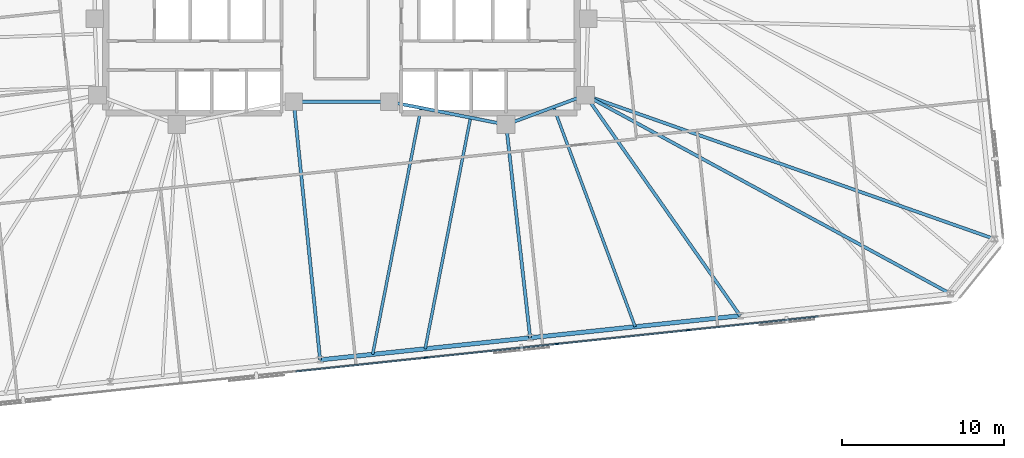
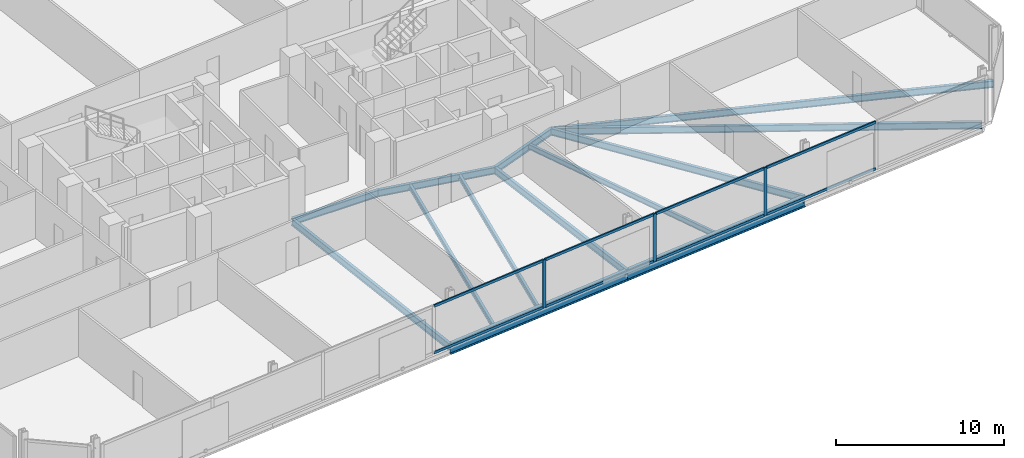
# One storey, part 7 of 18: 13 beams, 11 members, 1 element without a shape of its own.
"""IFC4 building model written with IfcOpenShell, lengths in metres."""

from ifc_helpers import new_model, si_unit, direction, frame, origin, origin_2d, place, context, subcontext, project, spatial, rectangle, i_section, extrude, material, material_profile, profile_set, type_object, element, aggregate, save


model = new_model("IFC4")

# Units and contexts
model_context = context("Model", 3, precision=1e-05, world=origin(), true_north=direction((0.0, 1.0)))
body_context = subcontext(model_context, "Body", "Model", "MODEL_VIEW")
ifc_project = project(units=[si_unit("LENGTHUNIT", "METRE"), si_unit("AREAUNIT", "SQUARE_METRE"), si_unit("VOLUMEUNIT", "CUBIC_METRE"), si_unit("PLANEANGLEUNIT", "RADIAN"), si_unit("MASSUNIT", "GRAM", prefix="KILO")], contexts=[model_context])

# Site, building, storey
site_placement = place(None, origin())
site = spatial("IfcSite", under=ifc_project, at=site_placement, CompositionType="ELEMENT")
building_placement = place(site_placement, origin())
building = spatial("IfcBuilding", under=site, at=building_placement, Name="Menara Jurai Vektor", CompositionType="ELEMENT")
storey_placement = place(building_placement, frame((0.0, 0.0, 120.699951171875)))
storey = spatial("IfcBuildingStorey", under=building, at=storey_placement, Name="L30", CompositionType="ELEMENT", Elevation=120.699951171875)

# Curtain wall, members
ifc_material_1 = material(Name="Anodised Pale Aluminium & Low-E Double Glazing", Category="aluminium")
curtain_wall_type = type_object("IfcCurtainWallType", Name="CW-BLK2", PredefinedType="NOTDEFINED", material=ifc_material_1)
curtain_wall_placement = place(storey_placement, origin())
curtain_wall = element("IfcCurtainWall", 1, at=curtain_wall_placement, inside=storey, type_object=curtain_wall_type, Name="Unitised Curtain Wall L30 F01", PredefinedType="NOTDEFINED")
ifc_material_2 = material(Name="Anodised Pale Aluminium Mullion", Category="aluminium")
ifc_material_profile_1 = material_profile(ifc_material_2, rectangle(XDim=0.090087890625, YDim=0.219970703125, at=origin_2d()), Name="ALU MUL 90x220")
ifc_profile_set_1 = profile_set([ifc_material_profile_1], Name="Anodised Pale Aluminium Mullion")
member_type_1 = type_object("IfcMemberType", Name="CW-BLK2-MUL", PredefinedType="MULLION", material=ifc_profile_set_1)
member_1_placement = place(storey_placement, frame((5.230224609375, -20.72265625, 0.0), z_axis=(0.0, 0.0, 1.0), x_axis=(-0.104528634935, 0.994521877325, 0.0)))
member_1 = element("IfcMember", 2, at=member_1_placement, type_object=member_type_1, Name="CW-02 mullion 5", PredefinedType="MULLION", context=body_context, shape_type="SweptSolid", body=[
    extrude(rectangle(XDim=0.090087890625, YDim=0.219970703125, at=origin_2d()), origin(), (0.0, 0.0, 1.0), 3.47509765625),
])
member_2_placement = place(storey_placement, frame((13.328125, -19.87158203125, 0.0), z_axis=(0.0, 0.0, 1.0), x_axis=(-0.104528634935, 0.994521877325, 0.0)))
member_2 = element("IfcMember", 3, at=member_2_placement, type_object=member_type_1, Name="CW-02 mullion 6", PredefinedType="MULLION", context=body_context, shape_type="SweptSolid", body=[
    extrude(rectangle(XDim=0.090087890625, YDim=0.219970703125, at=origin_2d()), origin(), (0.0, 0.0, 1.0), 3.47509765625),
])
member_3_placement = place(storey_placement, frame((21.426025390625, -19.020263671875, 0.0), z_axis=(0.0, 0.0, 1.0), x_axis=(-0.104528634935, 0.994521877325, 0.0)))
member_3 = element("IfcMember", 4, at=member_3_placement, type_object=member_type_1, Name="CW-02 mullion 7", PredefinedType="MULLION", context=body_context, shape_type="SweptSolid", body=[
    extrude(rectangle(XDim=0.090087890625, YDim=0.219970703125, at=origin_2d()), origin(), (0.0, 0.0, 1.0), 3.47509765625),
])
ifc_material_3 = material(Name="Anodised Pale Aluminium Transom", Category="aluminium")
ifc_material_profile_2 = material_profile(ifc_material_3, rectangle(XDim=0.090087890625, YDim=0.18505859375, at=origin_2d()), Name="ALU TRN 90x185")
ifc_profile_set_2 = profile_set([ifc_material_profile_2], Name="Anodised Pale Aluminium Transom")
member_type_2 = type_object("IfcMemberType", Name="CW-BLK2-TRN", PredefinedType="USERDEFINED", material=ifc_profile_set_2)
member_4_placement = place(storey_placement, frame((-2.82275390625, -21.569091796875, 0.045166015625), z_axis=(0.994520726373, 0.10453958492, 0.0), x_axis=(-0.10453958492, 0.994520726373, 0.0)))
member_4 = element("IfcMember", 5, at=member_4_placement, type_object=member_type_2, Name="CW-02 transom 4.1", ObjectType="TRANSOM", PredefinedType="USERDEFINED", context=body_context, shape_type="SweptSolid", body=[
    extrude(rectangle(XDim=0.090087890625, YDim=0.18505859375, at=origin_2d()), origin(), (0.0, 0.0, 1.0), 8.052490234375),
])
member_5_placement = place(storey_placement, frame((-2.82275390625, -21.569091796875, 3.429931640625), z_axis=(0.994520726373, 0.10453958492, 0.0), x_axis=(-0.10453958492, 0.994520726373, 0.0)))
member_5 = element("IfcMember", 6, at=member_5_placement, type_object=member_type_2, Name="CW-02 transom 4.2", ObjectType="TRANSOM", PredefinedType="USERDEFINED", context=body_context, shape_type="SweptSolid", body=[
    extrude(rectangle(XDim=0.090087890625, YDim=0.18505859375, at=origin_2d()), origin(), (0.0, 0.0, 1.0), 8.052490234375),
])
member_6_placement = place(storey_placement, frame((5.275146484375, -20.718017578125, 0.045166015625), z_axis=(0.994520726373, 0.10453958492, 0.0), x_axis=(-0.10453958492, 0.994520726373, 0.0)))
member_6 = element("IfcMember", 7, at=member_6_placement, type_object=member_type_2, Name="CW-02 transom 5.1", ObjectType="TRANSOM", PredefinedType="USERDEFINED", context=body_context, shape_type="SweptSolid", body=[
    extrude(rectangle(XDim=0.090087890625, YDim=0.18505859375, at=origin_2d()), origin(), (0.0, 0.0, 1.0), 8.052490234375),
])
member_7_placement = place(storey_placement, frame((5.275146484375, -20.718017578125, 3.429931640625), z_axis=(0.994520726373, 0.10453958492, 0.0), x_axis=(-0.10453958492, 0.994520726373, 0.0)))
member_7 = element("IfcMember", 8, at=member_7_placement, type_object=member_type_2, Name="CW-02 transom 5.2", ObjectType="TRANSOM", PredefinedType="USERDEFINED", context=body_context, shape_type="SweptSolid", body=[
    extrude(rectangle(XDim=0.090087890625, YDim=0.18505859375, at=origin_2d()), origin(), (0.0, 0.0, 1.0), 8.052490234375),
])
member_8_placement = place(storey_placement, frame((13.373046875, -19.86669921875, 0.045166015625), z_axis=(0.99452387809, 0.104509597213, 0.0), x_axis=(-0.104509597213, 0.99452387809, 0.0)))
member_8 = element("IfcMember", 9, at=member_8_placement, type_object=member_type_2, Name="CW-02 transom 6.1", ObjectType="TRANSOM", PredefinedType="USERDEFINED", context=body_context, shape_type="SweptSolid", body=[
    extrude(rectangle(XDim=0.090087890625, YDim=0.18505859375, at=origin_2d()), origin(), (0.0, 0.0, 1.0), 8.052490234375),
])
member_9_placement = place(storey_placement, frame((13.373046875, -19.86669921875, 3.429931640625), z_axis=(0.99452387809, 0.104509597213, 0.0), x_axis=(-0.104509597213, 0.99452387809, 0.0)))
member_9 = element("IfcMember", 10, at=member_9_placement, type_object=member_type_2, Name="CW-02 transom 6.2", ObjectType="TRANSOM", PredefinedType="USERDEFINED", context=body_context, shape_type="SweptSolid", body=[
    extrude(rectangle(XDim=0.090087890625, YDim=0.18505859375, at=origin_2d()), origin(), (0.0, 0.0, 1.0), 8.052490234375),
])
member_10_placement = place(storey_placement, frame((21.470947265625, -19.015625, 0.045166015625), z_axis=(0.994520726373, 0.10453958492, 0.0), x_axis=(-0.10453958492, 0.994520726373, 0.0)))
member_10 = element("IfcMember", 11, at=member_10_placement, type_object=member_type_2, Name="CW-02 transom 7.1", ObjectType="TRANSOM", PredefinedType="USERDEFINED", context=body_context, shape_type="SweptSolid", body=[
    extrude(rectangle(XDim=0.090087890625, YDim=0.18505859375, at=origin_2d()), origin(), (0.0, 0.0, 1.0), 8.052490234375),
])
member_11_placement = place(storey_placement, frame((21.470947265625, -19.015625, 3.429931640625), z_axis=(0.994520726373, 0.10453958492, 0.0), x_axis=(-0.10453958492, 0.994520726373, 0.0)))
member_11 = element("IfcMember", 12, at=member_11_placement, type_object=member_type_2, Name="CW-02 transom 7.2", ObjectType="TRANSOM", PredefinedType="USERDEFINED", context=body_context, shape_type="SweptSolid", body=[
    extrude(rectangle(XDim=0.090087890625, YDim=0.18505859375, at=origin_2d()), origin(), (0.0, 0.0, 1.0), 8.052490234375),
])
aggregate(curtain_wall, [member_1, member_2, member_3, member_4, member_5, member_6, member_7, member_8, member_9, member_10, member_11])

# Beams
ifc_material_4 = material(Name="Steel S355", Category="steel")
ifc_material_profile_3 = material_profile(ifc_material_4, i_section(OverallWidth=0.199951171875, OverallDepth=0.5, WebThickness=0.011962890625, FlangeThickness=0.02001953125, at=origin_2d()), Name="PG 500x200x96")
ifc_profile_set_3 = profile_set([ifc_material_profile_3], Name="Steel S355")
beam_type_1 = type_object("IfcBeamType", Name="STR-BM-500", PredefinedType="BEAM", material=ifc_profile_set_3)
beam_1_placement = place(storey_placement, frame((10.179931640625, -6.320068359375, -0.474853515625), z_axis=(0.937424400887, 0.348188874925, 0.0), x_axis=(-0.348188874925, 0.937424400887, 0.0)))
element("IfcBeam", 13, at=beam_1_placement, inside=storey, type_object=beam_type_1, Name="Core Ring Header Girder L30-CHE-S1", PredefinedType="BEAM", context=body_context, shape_type="SweptSolid", body=[
    extrude(i_section(OverallWidth=0.199951171875, OverallDepth=0.5, WebThickness=0.011962890625, FlangeThickness=0.02001953125, at=origin_2d()), origin(), (0.0, 0.0, 1.0), 5.227294921875),
])
beam_2_placement = place(storey_placement, frame((2.949951171875, -4.89990234375, -0.474853515625), z_axis=(0.981249044334, -0.192744164614, 0.0), x_axis=(0.192744164614, 0.981249044334, 0.0)))
element("IfcBeam", 14, at=beam_2_placement, inside=storey, type_object=beam_type_1, Name="Core Ring Header Girder L30-CHE-S2", PredefinedType="BEAM", context=body_context, shape_type="SweptSolid", body=[
    extrude(i_section(OverallWidth=0.199951171875, OverallDepth=0.5, WebThickness=0.011962890625, FlangeThickness=0.02001953125, at=origin_2d()), origin(), (0.0, 0.0, 1.0), 7.3681640625),
])
beam_3_placement = place(storey_placement, frame((-2.949951171875, -4.89990234375, -0.474853515625), z_axis=(1.0, 0.0, 0.0), x_axis=(0.0, 1.0, 0.0)))
element("IfcBeam", 15, at=beam_3_placement, inside=storey, type_object=beam_type_1, Name="Core Ring Header Girder L30-CC-1", PredefinedType="BEAM", context=body_context, shape_type="SweptSolid", body=[
    extrude(i_section(OverallWidth=0.199951171875, OverallDepth=0.5, WebThickness=0.011962890625, FlangeThickness=0.02001953125, at=origin_2d()), origin(), (0.0, 0.0, 1.0), 5.89990234375),
])
beam_4_placement = place(storey_placement, frame((-1.31689453125, -20.85791015625, -0.474853515625), z_axis=(-0.101802947506, 0.994804583765, 0.0), x_axis=(-0.994804583765, -0.101802947506, 0.0)))
element("IfcBeam", 16, at=beam_4_placement, inside=storey, type_object=beam_type_1, Name="Radial Floor Girder L30-S3", PredefinedType="BEAM", context=body_context, shape_type="SweptSolid", body=[
    extrude(i_section(OverallWidth=0.199951171875, OverallDepth=0.5, WebThickness=0.011962890625, FlangeThickness=0.02001953125, at=origin_2d()), origin(), (0.0, 0.0, 1.0), 16.041259765625),
])
beam_5_placement = place(storey_placement, frame((11.66259765625, -19.493408203125, -0.474853515625), z_axis=(-0.111844331087, 0.99372573963, 0.0), x_axis=(-0.99372573963, -0.111844331087, 0.0)))
element("IfcBeam", 17, at=beam_5_placement, inside=storey, type_object=beam_type_1, Name="Radial Floor Girder L30-S4", PredefinedType="BEAM", context=body_context, shape_type="SweptSolid", body=[
    extrude(i_section(OverallWidth=0.199951171875, OverallDepth=0.5, WebThickness=0.011962890625, FlangeThickness=0.02001953125, at=origin_2d()), origin(), (0.0, 0.0, 1.0), 13.256591796875),
])
beam_6_placement = place(storey_placement, frame((24.64208984375, -18.12939453125, -0.474853515625), z_axis=(-0.574326112611, 0.818626603754, 0.0), x_axis=(-0.818626603754, -0.574326112611, 0.0)))
element("IfcBeam", 18, at=beam_6_placement, inside=storey, type_object=beam_type_1, Name="Radial Floor Girder L30-S5", PredefinedType="BEAM", context=body_context, shape_type="SweptSolid", body=[
    extrude(i_section(OverallWidth=0.199951171875, OverallDepth=0.5, WebThickness=0.011962890625, FlangeThickness=0.02001953125, at=origin_2d()), origin(), (0.0, 0.0, 1.0), 16.649169921875),
])
beam_7_placement = place(storey_placement, frame((37.621826171875, -16.76513671875, -0.474853515625), z_axis=(-0.878392468416, 0.477940029115, 0.0), x_axis=(-0.477940029115, -0.878392468416, 0.0)))
element("IfcBeam", 19, at=beam_7_placement, inside=storey, type_object=beam_type_1, Name="Radial Floor Girder L30-S6", PredefinedType="BEAM", context=body_context, shape_type="SweptSolid", body=[
    extrude(i_section(OverallWidth=0.199951171875, OverallDepth=0.5, WebThickness=0.011962890625, FlangeThickness=0.02001953125, at=origin_2d()), origin(), (0.0, 0.0, 1.0), 25.66259765625),
])
beam_8_placement = place(storey_placement, frame((40.356201171875, -13.388671875, -0.474853515625), z_axis=(-0.943368219745, 0.331747497315, 0.0), x_axis=(-0.331747497315, -0.943368219745, 0.0)))
element("IfcBeam", 20, at=beam_8_placement, inside=storey, type_object=beam_type_1, Name="Radial Floor Girder L30-E1", PredefinedType="BEAM", context=body_context, shape_type="SweptSolid", body=[
    extrude(i_section(OverallWidth=0.199951171875, OverallDepth=0.5, WebThickness=0.011962890625, FlangeThickness=0.02001953125, at=origin_2d()), origin(), (0.0, 0.0, 1.0), 26.79345703125),
])
ifc_material_profile_4 = material_profile(ifc_material_4, i_section(OverallWidth=0.175048828125, OverallDepth=0.3798828125, WebThickness=0.010009765625, FlangeThickness=0.014892578125, at=origin_2d()), Name="PG 380x175x58")
ifc_profile_set_4 = profile_set([ifc_material_profile_4], Name="Steel S355")
beam_type_2 = type_object("IfcBeamType", Name="STR-JS-380", PredefinedType="JOIST", material=ifc_profile_set_4)
beam_9_placement = place(storey_placement, frame((1.927978515625, -20.5166015625, -0.4150390625), z_axis=(0.192720963177, 0.981253601447, 0.0), x_axis=(-0.981253601447, 0.192720963177, 0.0)))
element("IfcBeam", 21, at=beam_9_placement, inside=storey, type_object=beam_type_2, Name="Radial Secondary Floor Joist L30-JS06", PredefinedType="JOIST", context=body_context, shape_type="SweptSolid", body=[
    extrude(i_section(OverallWidth=0.175048828125, OverallDepth=0.3798828125, WebThickness=0.010009765625, FlangeThickness=0.014892578125, at=origin_2d()), origin(), (0.0, 0.0, 1.0), 15.52099609375),
])
beam_10_placement = place(storey_placement, frame((5.1728515625, -20.175537109375, -0.4150390625), z_axis=(0.192719646422, 0.98125386006, 0.0), x_axis=(-0.98125386006, 0.192719646422, 0.0)))
element("IfcBeam", 22, at=beam_10_placement, inside=storey, type_object=beam_type_2, Name="Radial Secondary Floor Joist L30-JS07", PredefinedType="JOIST", context=body_context, shape_type="SweptSolid", body=[
    extrude(i_section(OverallWidth=0.175048828125, OverallDepth=0.3798828125, WebThickness=0.010009765625, FlangeThickness=0.014892578125, at=origin_2d()), origin(), (0.0, 0.0, 1.0), 14.560791015625),
])
beam_11_placement = place(storey_placement, frame((18.15234375, -18.811279296875, -0.4150390625), z_axis=(-0.348188645432, 0.937424486128, 0.0), x_axis=(-0.937424486128, -0.348188645432, 0.0)))
element("IfcBeam", 23, at=beam_11_placement, inside=storey, type_object=beam_type_2, Name="Radial Secondary Floor Joist L30-JS08", PredefinedType="JOIST", context=body_context, shape_type="SweptSolid", body=[
    extrude(i_section(OverallWidth=0.175048828125, OverallDepth=0.3798828125, WebThickness=0.010009765625, FlangeThickness=0.014892578125, at=origin_2d()), origin(), (0.0, 0.0, 1.0), 14.485595703125),
])
ifc_material_5 = material(Name="Steel S460", Category="steel")
ifc_material_profile_5 = material_profile(ifc_material_5, i_section(OverallWidth=0.26806640625, OverallDepth=0.77001953125, WebThickness=0.01611328125, FlangeThickness=0.02490234375, FilletRadius=0.01708984375, at=origin_2d()), Name="UKB 762x267x197")
ifc_profile_set_5 = profile_set([ifc_material_profile_5], Name="Steel S460")
beam_type_3 = type_object("IfcBeamType", Name="STR-SP-762", PredefinedType="SPANDREL", material=ifc_profile_set_5)
for number, where, z_axis, x_axis, name in (
    (24, (-1.31689453125, -20.85791015625, -0.60986328125), (0.994519486762, 0.104551377088, 0.0), (-0.104551377088, 0.994519486762, 0.0), "Exoskeleton Spandrel Beam L30-03"),
    (25, (11.66259765625, -19.493408203125, -0.60986328125), (0.99452337626, 0.104514372567, 0.0), (-0.104514372567, 0.99452337626, 0.0), "Exoskeleton Spandrel Beam L30-04"),
):
    element("IfcBeam", number, at=place(storey_placement, frame(where, z_axis=z_axis, x_axis=x_axis)), inside=storey, type_object=beam_type_3, Name=name, PredefinedType="SPANDREL", context=body_context, shape_type="SweptSolid", body=[
        extrude(i_section(OverallWidth=0.26806640625, OverallDepth=0.77001953125, WebThickness=0.01611328125, FlangeThickness=0.02490234375, FilletRadius=0.01708984375, at=origin_2d()), origin(), (0.0, 0.0, 1.0), 13.051025390625),
    ])

save(model, "model.ifc")
